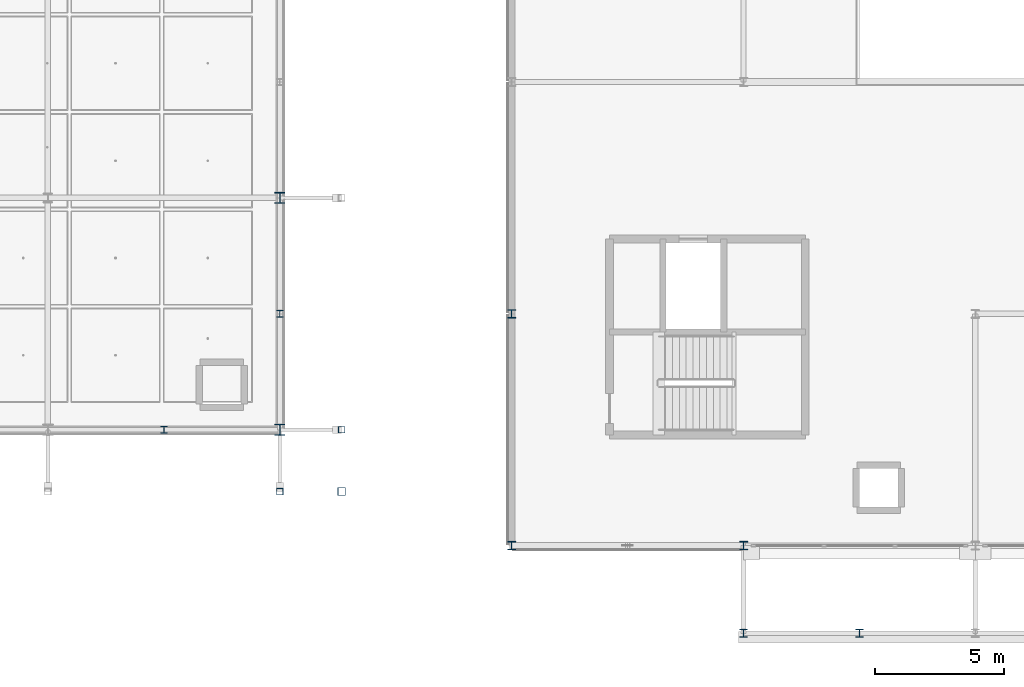
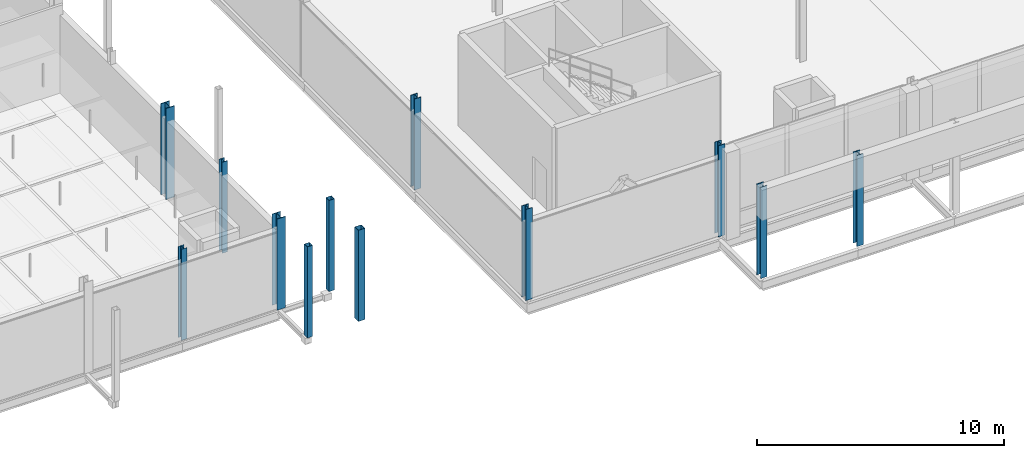
# One storey, part 8 of 130: 12 columns.
"""IFC4 building model written with IfcOpenShell, lengths in metres."""

from ifc_helpers import new_model, si_unit, direction, frame, origin, origin_2d, place, context, subcontext, project, spatial, hollow_rectangle, i_section, extrude, material, material_profile, profile_set, type_object, element, save


model = new_model("IFC4")

# Units and contexts
model_context = context("Model", 3, precision=1e-05, world=origin(), true_north=direction((0.0, 1.0)))
body_context = subcontext(model_context, "Body", "Model", "MODEL_VIEW")
ifc_project = project(units=[si_unit("LENGTHUNIT", "METRE"), si_unit("AREAUNIT", "SQUARE_METRE"), si_unit("VOLUMEUNIT", "CUBIC_METRE"), si_unit("PLANEANGLEUNIT", "RADIAN"), si_unit("MASSUNIT", "GRAM", prefix="KILO"), si_unit("THERMODYNAMICTEMPERATUREUNIT", "KELVIN"), si_unit("POWERUNIT", "WATT")], contexts=[model_context])

# Site, building, storey
site_placement = place(None, origin())
site = spatial("IfcSite", under=ifc_project, at=site_placement, CompositionType="ELEMENT")
building_placement = place(site_placement, origin())
building = spatial("IfcBuilding", under=site, at=building_placement, Name="Tallowbark Science Centre", CompositionType="ELEMENT")
storey_placement = place(building_placement, frame((0.0, 0.0, 5.39990234375)))
storey = spatial("IfcBuildingStorey", under=building, at=storey_placement, Name="L01", CompositionType="ELEMENT", Elevation=5.39990234375)

# Columns
ifc_material_1 = material(Name="White Architectural Painted Steel Grade C350L0 (350 MPa)", Category="steel")
ifc_material_profile_1 = material_profile(ifc_material_1, hollow_rectangle(XDim=0.25, YDim=0.25, WallThickness=0.009033203125, at=origin_2d()), Name="250x250x9.0SHS")
ifc_profile_set_1 = profile_set([ifc_material_profile_1], Name="White Architectural Painted Steel Grade C350L0 (350 MPa)")
column_type_1 = type_object("IfcColumnType", Name="COL-SCR200", PredefinedType="COLUMN", material=ifc_profile_set_1)
for number, where, z_axis, x_axis, name in (
    (1, (103.5, 2.10009765625, 0.0), (0.0, 0.0, 1.0), (1.0, 0.0, 0.0), "Column SCR-S06 L01"),
    (2, (105.89990234375, 4.5, 0.0), (0.0, 0.0, 1.0), (1.0, 0.0, 0.0), "Column SCR-E01 L01"),
):
    element("IfcColumn", number, at=place(storey_placement, frame(where, z_axis=z_axis, x_axis=x_axis)), inside=storey, type_object=column_type_1, Name=name, PredefinedType="COLUMN", context=body_context, shape_type="SweptSolid", body=[
        extrude(hollow_rectangle(XDim=0.25, YDim=0.25, WallThickness=0.009033203125, at=origin_2d()), origin(), (0.0, 0.0, 1.0), 4.5),
    ])
ifc_material_profile_2 = material_profile(ifc_material_1, hollow_rectangle(XDim=0.300048828125, YDim=0.300048828125, WallThickness=0.010009765625, at=origin_2d()), Name="300x300x10.0SHS")
ifc_profile_set_2 = profile_set([ifc_material_profile_2], Name="White Architectural Painted Steel Grade C350L0 (350 MPa)")
column_type_2 = type_object("IfcColumnType", Name="COL-SCR300", PredefinedType="COLUMN", material=ifc_profile_set_2)
column_placement = place(storey_placement, frame((105.89990234375, 2.10009765625, 0.0), z_axis=(0.0, 0.0, 1.0), x_axis=(1.0, 0.0, 0.0)))
element("IfcColumn", 3, at=column_placement, inside=storey, type_object=column_type_2, Name="Column SCR-S07 L01", PredefinedType="COLUMN", context=body_context, shape_type="SweptSolid", body=[
    extrude(hollow_rectangle(XDim=0.300048828125, YDim=0.300048828125, WallThickness=0.010009765625, at=origin_2d()), origin(), (0.0, 0.0, 1.0), 4.5),
])
ifc_material_2 = material(Name="Structural Steel Grade 300PLUS (300 MPa)", Category="steel")
ifc_material_profile_3 = material_profile(ifc_material_2, i_section(OverallWidth=0.311279296875, OverallDepth=0.3271484375, WebThickness=0.015625, FlangeThickness=0.02490234375, FilletRadius=0.0166015625, at=origin_2d()), Name="310UC158")
ifc_profile_set_3 = profile_set([ifc_material_profile_3], Name="Structural Steel Grade 300PLUS (300 MPa)")
column_type_3 = type_object("IfcColumnType", Name="COL-UC310A", PredefinedType="COLUMN", material=ifc_profile_set_3)
for number, where, z_axis, x_axis, name in (
    (4, (112.5, 0.0, 0.0), (0.0, 0.0, 1.0), (1.0, 0.0, 0.0), "Column THT-M0_0 L01"),
    (5, (112.5, 9.0, 0.0), (0.0, 0.0, 1.0), (1.0, 0.0, 0.0), "Column THT-M0_1 L01"),
    (6, (121.5, 0.0, 0.0), (0.0, 0.0, 1.0), (1.0, 0.0, 0.0), "Column THT-M1_0 L01"),
):
    element("IfcColumn", number, at=place(storey_placement, frame(where, z_axis=z_axis, x_axis=x_axis)), inside=storey, type_object=column_type_3, Name=name, PredefinedType="COLUMN", context=body_context, shape_type="SweptSolid", body=[
        extrude(i_section(OverallWidth=0.311279296875, OverallDepth=0.3271484375, WebThickness=0.015625, FlangeThickness=0.02490234375, FilletRadius=0.0166015625, at=origin_2d()), origin(), (0.0, 0.0, 1.0), 4.5),
    ])
ifc_material_profile_4 = material_profile(ifc_material_2, i_section(OverallWidth=0.39990234375, OverallDepth=0.427978515625, WebThickness=0.02001953125, FlangeThickness=0.028076171875, FilletRadius=0.01611328125, at=origin_2d()), Name="400WC270")
ifc_profile_set_4 = profile_set([ifc_material_profile_4], Name="Structural Steel Grade 300PLUS (300 MPa)")
column_type_4 = type_object("IfcColumnType", Name="COL-WC400", PredefinedType="COLUMN", material=ifc_profile_set_4)
for number, where, z_axis, x_axis, name in (
    (7, (103.5, 4.5, 0.0), (0.0, 0.0, 1.0), (1.0, 0.0, 0.0), "Column CUB-M5_0 L01"),
    (8, (103.5, 13.5, 0.0), (0.0, 0.0, 1.0), (1.0, 0.0, 0.0), "Column CUB-M5_1 L01"),
):
    element("IfcColumn", number, at=place(storey_placement, frame(where, z_axis=z_axis, x_axis=x_axis)), inside=storey, type_object=column_type_4, Name=name, PredefinedType="COLUMN", context=body_context, shape_type="SweptSolid", body=[
        extrude(i_section(OverallWidth=0.39990234375, OverallDepth=0.427978515625, WebThickness=0.02001953125, FlangeThickness=0.028076171875, FilletRadius=0.01611328125, at=origin_2d()), origin(), (0.0, 0.0, 1.0), 4.5),
    ])
ifc_material_profile_5 = material_profile(ifc_material_2, i_section(OverallWidth=0.256103515625, OverallDepth=0.260009765625, WebThickness=0.010498046875, FlangeThickness=0.017333984375, FilletRadius=0.013916015625, at=origin_2d()), Name="250UC89.5")
ifc_profile_set_5 = profile_set([ifc_material_profile_5], Name="Structural Steel Grade 300PLUS (300 MPa)")
column_type_5 = type_object("IfcColumnType", Name="PIL-UC250", PredefinedType="PILASTER", material=ifc_profile_set_5)
for number, where, z_axis, x_axis, name in (
    (9, (99.0, 4.5, 0.0), (0.0, 0.0, 1.0), (1.0, 0.0, 0.0), "Column CUB-PS-4 L01"),
    (10, (103.5, 9.0, 0.0), (0.0, 0.0, 1.0), (1.0, 0.0, 0.0), "Column CUB-PE-0 L01"),
):
    element("IfcColumn", number, at=place(storey_placement, frame(where, z_axis=z_axis, x_axis=x_axis)), inside=storey, type_object=column_type_5, Name=name, PredefinedType="PILASTER", context=body_context, shape_type="SweptSolid", body=[
        extrude(i_section(OverallWidth=0.256103515625, OverallDepth=0.260009765625, WebThickness=0.010498046875, FlangeThickness=0.017333984375, FilletRadius=0.013916015625, at=origin_2d()), origin(), (0.0, 0.0, 1.0), 4.5),
    ])
ifc_material_profile_6 = material_profile(ifc_material_2, i_section(OverallWidth=0.307373046875, OverallDepth=0.314697265625, WebThickness=0.011962890625, FlangeThickness=0.018798828125, FilletRadius=0.0166015625, at=origin_2d()), Name="310UC118")
ifc_profile_set_6 = profile_set([ifc_material_profile_6], Name="Structural Steel Grade 300PLUS (300 MPa)")
column_type_6 = type_object("IfcColumnType", Name="PIL-UC310", PredefinedType="PILASTER", material=ifc_profile_set_6)
for number, where, z_axis, x_axis, name in (
    (11, (121.5, -3.39990234375, 0.0), (0.0, 0.0, 1.0), (1.0, 0.0, 0.0), "Column THT-POR-00 L01"),
    (12, (126.0, -3.39990234375, 0.0), (0.0, 0.0, 1.0), (1.0, 0.0, 0.0), "Column THT-POR-01 L01"),
):
    element("IfcColumn", number, at=place(storey_placement, frame(where, z_axis=z_axis, x_axis=x_axis)), inside=storey, type_object=column_type_6, Name=name, PredefinedType="PILASTER", context=body_context, shape_type="SweptSolid", body=[
        extrude(i_section(OverallWidth=0.307373046875, OverallDepth=0.314697265625, WebThickness=0.011962890625, FlangeThickness=0.018798828125, FilletRadius=0.0166015625, at=origin_2d()), origin(), (0.0, 0.0, 1.0), 4.5),
    ])

save(model, "model.ifc")
